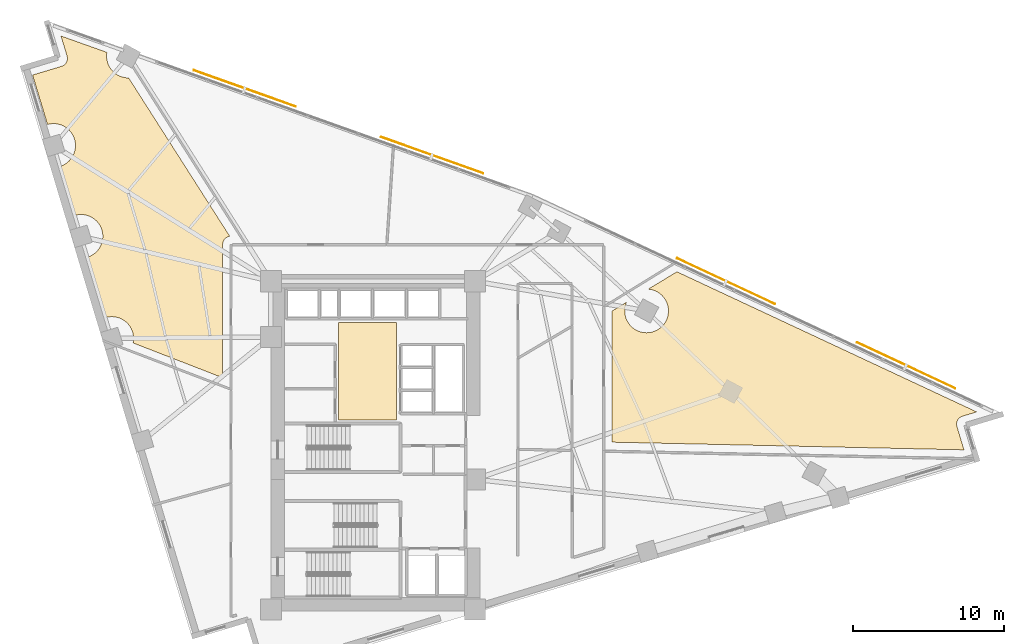
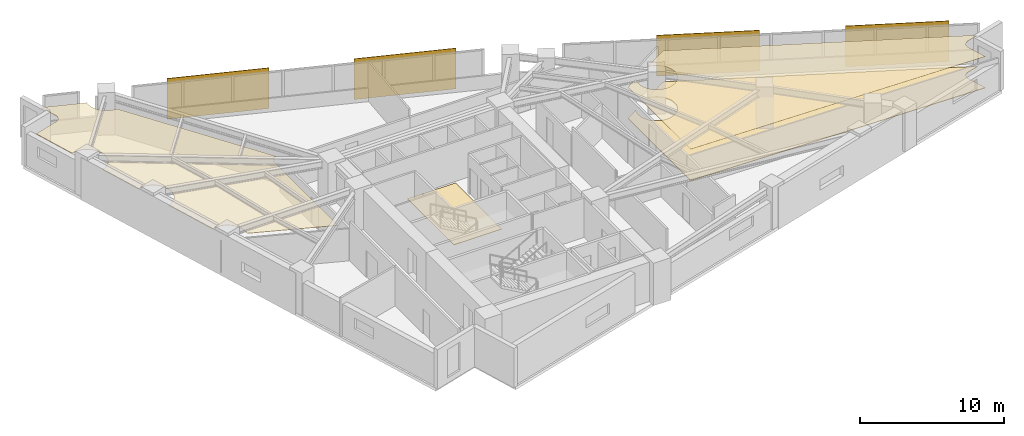
# One storey, part 16 of 16: 4 coverings, 4 shading devices.
"""IFC4 building model written with IfcOpenShell, lengths in metres."""

from ifc_helpers import new_model, si_unit, direction, frame, origin, origin_2d, place, context, subcontext, project, spatial, polyline, rectangle, outline, extrude, material, layer, layer_set, type_object, element, save


model = new_model("IFC4")

# Units and contexts
model_context = context("Model", 3, precision=1e-05, world=origin(), true_north=direction((0.0, 1.0)))
body_context = subcontext(model_context, "Body", "Model", "MODEL_VIEW")
ifc_project = project(units=[si_unit("LENGTHUNIT", "METRE"), si_unit("AREAUNIT", "SQUARE_METRE"), si_unit("VOLUMEUNIT", "CUBIC_METRE"), si_unit("PLANEANGLEUNIT", "RADIAN"), si_unit("MASSUNIT", "GRAM", prefix="KILO")], contexts=[model_context])

# Site, building, storey
site_placement = place(None, origin())
site = spatial("IfcSite", under=ifc_project, at=site_placement, CompositionType="ELEMENT")
building_placement = place(site_placement, origin())
building = spatial("IfcBuilding", under=site, at=building_placement, Name="Narakoshi Arena Tower", CompositionType="ELEMENT")
storey_placement = place(building_placement, frame((0.0, 0.0, 153.89990234375)))
storey = spatial("IfcBuildingStorey", under=building, at=storey_placement, Name="L41", CompositionType="ELEMENT", Elevation=153.89990234375)

# Coverings
ifc_material_1 = material(Name="Acoustic mineral-fibre ceiling tile")
ifc_layer_1 = layer(ifc_material_1, 0.02001953125)
ifc_layer_set_1 = layer_set([ifc_layer_1], Name="Acoustic mineral-fibre ceiling tile")
covering_type_1 = type_object("IfcCoveringType", Name="COV-CLG-AC20", PredefinedType="CEILING", material=ifc_layer_set_1)
covering_1_placement = place(storey_placement, frame((0.0, 0.0, 2.670166015625)))
element("IfcCovering", 1, at=covering_1_placement, inside=storey, type_object=covering_type_1, Name="L41 Suspended Acoustic Ceiling 1", PredefinedType="CEILING", context=body_context, shape_type="SweptSolid", body=[
    extrude(outline(polyline([(117.9150390625, 47.540771484375), (117.8642578125, 47.522705078125), (117.8154296875, 47.499755859375), (117.76904296875, 47.47216796875), (117.7255859375, 47.43994140625), (117.685546875, 47.40380859375), (117.649169921875, 47.364013671875), (117.616943359375, 47.32080078125), (117.589111328125, 47.2744140625), (117.56591796875, 47.2255859375), (117.547607421875, 47.1748046875), (117.534423828125, 47.12255859375), (117.5263671875, 47.069091796875), (117.523681640625, 47.015380859375), (117.526123046875, 46.96142578125), (117.533935546875, 46.907958984375), (117.546875, 46.855712890625), (118.01318359375, 45.306396484375), (94.646240234375, 45.81640625), (94.646240234375, 54.521240234375), (95.616455078125, 55.107666015625), (95.604736328125, 55.0830078125), (95.556884765625, 54.948974609375), (95.522216796875, 54.81103515625), (95.50146484375, 54.670166015625), (95.494384765625, 54.528076171875), (95.50146484375, 54.385986328125), (95.522216796875, 54.2451171875), (95.556884765625, 54.107177734375), (95.604736328125, 53.97314453125), (95.66552734375, 53.844482421875), (95.73876953125, 53.722412109375), (95.823486328125, 53.608154296875), (95.919189453125, 53.502685546875), (96.0244140625, 53.4072265625), (96.138916015625, 53.322509765625), (96.260986328125, 53.249267578125), (96.389404296875, 53.1884765625), (96.5234375, 53.140380859375), (96.66162109375, 53.10595703125), (96.80224609375, 53.085205078125), (96.9443359375, 53.078125), (97.08642578125, 53.085205078125), (97.227294921875, 53.10595703125), (97.365234375, 53.140380859375), (97.499267578125, 53.1884765625), (97.6279296875, 53.249267578125), (97.75, 53.322509765625), (97.8642578125, 53.4072265625), (97.9697265625, 53.502685546875), (98.065185546875, 53.608154296875), (98.14990234375, 53.722412109375), (98.22314453125, 53.844482421875), (98.283935546875, 53.97314453125), (98.33203125, 54.107177734375), (98.366455078125, 54.2451171875), (98.387451171875, 54.385986328125), (98.394287109375, 54.528076171875), (98.387451171875, 54.670166015625), (98.366455078125, 54.81103515625), (98.33203125, 54.948974609375), (98.283935546875, 55.0830078125), (98.22314453125, 55.211669921875), (98.14990234375, 55.333740234375), (98.065185546875, 55.447998046875), (97.9697265625, 55.553466796875), (97.8642578125, 55.64892578125), (97.75, 55.733642578125), (97.6279296875, 55.806884765625), (97.499267578125, 55.86767578125), (97.365234375, 55.915771484375), (97.227294921875, 55.9501953125), (97.08642578125, 55.97119140625), (97.048095703125, 55.972900390625), (98.9580078125, 57.12744140625), (118.8564453125, 47.823974609375), (117.9150390625, 47.540771484375)])), origin(), (0.0, 0.0, 1.0), 0.02001953125),
])
ifc_material_2 = material(Name="Slatted oak acoustic timber baffle", Category="wood")
ifc_layer_2 = layer(ifc_material_2, 0.034912109375)
ifc_layer_set_2 = layer_set([ifc_layer_2], Name="Slatted oak acoustic timber baffle")
covering_type_2 = type_object("IfcCoveringType", Name="COV-CLG-WD35", PredefinedType="CEILING", material=ifc_layer_set_2)
covering_2_placement = place(storey_placement, frame((0.0, 0.0, 2.655029296875)))
element("IfcCovering", 2, at=covering_2_placement, inside=storey, type_object=covering_type_2, Name="L41 Suspended Acoustic Ceiling 2", PredefinedType="CEILING", context=body_context, shape_type="SweptSolid", body=[
    extrude(outline(polyline([(58.1015625, 70.76611328125), (58.15234375, 70.7841796875), (58.201171875, 70.80712890625), (58.24755859375, 70.834716796875), (58.291015625, 70.86669921875), (58.3310546875, 70.903076171875), (58.367431640625, 70.94287109375), (58.399658203125, 70.986083984375), (58.427490234375, 71.032470703125), (58.45068359375, 71.0810546875), (58.468994140625, 71.1318359375), (58.482177734375, 71.18408203125), (58.490234375, 71.237548828125), (58.492919921875, 71.29150390625), (58.490478515625, 71.345458984375), (58.482666015625, 71.398681640625), (58.4697265625, 71.451171875), (58.070068359375, 72.77880859375), (61.1171875, 71.693603515625), (61.102294921875, 71.59228515625), (61.09521484375, 71.4501953125), (61.102294921875, 71.30810546875), (61.123046875, 71.16748046875), (61.15771484375, 71.029296875), (61.20556640625, 70.8955078125), (61.266357421875, 70.766845703125), (61.339599609375, 70.644775390625), (61.42431640625, 70.530517578125), (61.52001953125, 70.425048828125), (61.625244140625, 70.329345703125), (61.739501953125, 70.24462890625), (61.86181640625, 70.17138671875), (61.990234375, 70.110595703125), (62.124267578125, 70.062744140625), (62.26220703125, 70.0283203125), (62.403076171875, 70.00732421875), (62.545166015625, 70.000244140625), (62.55810546875, 70.0009765625), (69.2734375, 59.48046875), (69.24658203125, 59.476318359375), (69.194091796875, 59.46337890625), (69.143310546875, 59.445068359375), (69.094482421875, 59.422119140625), (69.048095703125, 59.394287109375), (69.0048828125, 59.3623046875), (68.96484375, 59.325927734375), (68.9287109375, 59.285888671875), (68.896484375, 59.24267578125), (68.86865234375, 59.1962890625), (68.845703125, 59.1474609375), (68.827392578125, 59.0966796875), (68.814453125, 59.044189453125), (68.806396484375, 58.990966796875), (68.8037109375, 58.93701171875), (68.8037109375, 50.09033203125), (62.857421875, 52.402587890625), (62.860107421875, 52.41357421875), (62.881103515625, 52.55419921875), (62.887939453125, 52.6962890625), (62.881103515625, 52.83837890625), (62.860107421875, 52.979248046875), (62.82568359375, 53.1171875), (62.777587890625, 53.251220703125), (62.716796875, 53.3798828125), (62.6435546875, 53.501953125), (62.558837890625, 53.6162109375), (62.46337890625, 53.7216796875), (62.35791015625, 53.8173828125), (62.24365234375, 53.902099609375), (62.12158203125, 53.97509765625), (61.992919921875, 54.035888671875), (61.85888671875, 54.083984375), (61.720947265625, 54.118408203125), (61.580078125, 54.139404296875), (61.43798828125, 54.146484375), (61.2958984375, 54.139404296875), (61.155029296875, 54.118408203125), (61.02978515625, 54.087158203125), (59.823486328125, 58.095947265625), (59.950927734375, 58.1416015625), (60.07958984375, 58.202392578125), (60.20166015625, 58.275634765625), (60.31591796875, 58.3603515625), (60.42138671875, 58.455810546875), (60.516845703125, 58.561279296875), (60.6015625, 58.675537109375), (60.6748046875, 58.797607421875), (60.735595703125, 58.92626953125), (60.78369140625, 59.060302734375), (60.818115234375, 59.1982421875), (60.839111328125, 59.339111328125), (60.845947265625, 59.481201171875), (60.839111328125, 59.623291015625), (60.818115234375, 59.76416015625), (60.78369140625, 59.902099609375), (60.735595703125, 60.0361328125), (60.6748046875, 60.164794921875), (60.6015625, 60.286865234375), (60.516845703125, 60.401123046875), (60.42138671875, 60.506591796875), (60.31591796875, 60.60205078125), (60.20166015625, 60.686767578125), (60.07958984375, 60.760009765625), (59.950927734375, 60.82080078125), (59.81689453125, 60.868896484375), (59.678955078125, 60.9033203125), (59.5380859375, 60.92431640625), (59.39599609375, 60.93115234375), (59.25390625, 60.92431640625), (59.113037109375, 60.9033203125), (58.98779296875, 60.8720703125), (58.00830078125, 64.126953125), (58.1357421875, 64.172607421875), (58.264404296875, 64.2333984375), (58.386474609375, 64.306396484375), (58.500732421875, 64.39111328125), (58.606201171875, 64.48681640625), (58.701904296875, 64.59228515625), (58.78662109375, 64.70654296875), (58.859619140625, 64.82861328125), (58.92041015625, 64.957275390625), (58.968505859375, 65.09130859375), (59.0029296875, 65.229248046875), (59.02392578125, 65.3701171875), (59.031005859375, 65.51220703125), (59.02392578125, 65.654296875), (59.0029296875, 65.794921875), (58.968505859375, 65.93310546875), (58.92041015625, 66.06689453125), (58.859619140625, 66.195556640625), (58.78662109375, 66.317626953125), (58.701904296875, 66.431884765625), (58.606201171875, 66.537353515625), (58.500732421875, 66.633056640625), (58.386474609375, 66.7177734375), (58.264404296875, 66.791015625), (58.1357421875, 66.851806640625), (58.001708984375, 66.899658203125), (57.86376953125, 66.93408203125), (57.722900390625, 66.955078125), (57.580810546875, 66.962158203125), (57.438720703125, 66.955078125), (57.298095703125, 66.93408203125), (57.1728515625, 66.90283203125), (56.183837890625, 70.18896484375), (58.1015625, 70.76611328125)])), origin(), (0.0, 0.0, 1.0), 0.03515625),
])
ifc_material_3 = material(Name="Raised steel access floor panel", Category="steel")
ifc_layer_3 = layer(ifc_material_3, 0.044921875)
ifc_layer_set_3 = layer_set([ifc_layer_3], Name="Raised steel access floor panel")
covering_type_3 = type_object("IfcCoveringType", Name="COV-FLR-RF45", PredefinedType="FLOORING", material=ifc_layer_set_3)
covering_3_placement = place(storey_placement, origin())
element("IfcCovering", 3, at=covering_3_placement, inside=storey, type_object=covering_type_3, Name="L41 Raised Steel Access Floor", PredefinedType="FLOORING", context=body_context, shape_type="SweptSolid", body=[
    extrude(outline(polyline([(117.9150390625, 47.540771484375), (117.8642578125, 47.522705078125), (117.8154296875, 47.499755859375), (117.76904296875, 47.47216796875), (117.7255859375, 47.43994140625), (117.685546875, 47.40380859375), (117.649169921875, 47.364013671875), (117.616943359375, 47.32080078125), (117.589111328125, 47.2744140625), (117.56591796875, 47.2255859375), (117.547607421875, 47.1748046875), (117.534423828125, 47.12255859375), (117.5263671875, 47.069091796875), (117.523681640625, 47.015380859375), (117.526123046875, 46.96142578125), (117.533935546875, 46.907958984375), (117.546875, 46.855712890625), (118.01318359375, 45.306396484375), (94.646240234375, 45.81640625), (94.646240234375, 54.521240234375), (95.616455078125, 55.107666015625), (95.604736328125, 55.0830078125), (95.556884765625, 54.948974609375), (95.522216796875, 54.81103515625), (95.50146484375, 54.670166015625), (95.494384765625, 54.528076171875), (95.50146484375, 54.385986328125), (95.522216796875, 54.2451171875), (95.556884765625, 54.107177734375), (95.604736328125, 53.97314453125), (95.66552734375, 53.844482421875), (95.73876953125, 53.722412109375), (95.823486328125, 53.608154296875), (95.919189453125, 53.502685546875), (96.0244140625, 53.4072265625), (96.138916015625, 53.322509765625), (96.260986328125, 53.249267578125), (96.389404296875, 53.1884765625), (96.5234375, 53.140380859375), (96.66162109375, 53.10595703125), (96.80224609375, 53.085205078125), (96.9443359375, 53.078125), (97.08642578125, 53.085205078125), (97.227294921875, 53.10595703125), (97.365234375, 53.140380859375), (97.499267578125, 53.1884765625), (97.6279296875, 53.249267578125), (97.75, 53.322509765625), (97.8642578125, 53.4072265625), (97.9697265625, 53.502685546875), (98.065185546875, 53.608154296875), (98.14990234375, 53.722412109375), (98.22314453125, 53.844482421875), (98.283935546875, 53.97314453125), (98.33203125, 54.107177734375), (98.366455078125, 54.2451171875), (98.387451171875, 54.385986328125), (98.394287109375, 54.528076171875), (98.387451171875, 54.670166015625), (98.366455078125, 54.81103515625), (98.33203125, 54.948974609375), (98.283935546875, 55.0830078125), (98.22314453125, 55.211669921875), (98.14990234375, 55.333740234375), (98.065185546875, 55.447998046875), (97.9697265625, 55.553466796875), (97.8642578125, 55.64892578125), (97.75, 55.733642578125), (97.6279296875, 55.806884765625), (97.499267578125, 55.86767578125), (97.365234375, 55.915771484375), (97.227294921875, 55.9501953125), (97.08642578125, 55.97119140625), (97.048095703125, 55.972900390625), (98.9580078125, 57.12744140625), (118.8564453125, 47.823974609375), (117.9150390625, 47.540771484375)])), origin(), (0.0, 0.0, 1.0), 0.045166015625),
])
ifc_material_4 = material(Name="Honed granite stone paving", Category="masonry")
ifc_layer_4 = layer(ifc_material_4, 0.030029296875)
ifc_layer_set_4 = layer_set([ifc_layer_4], Name="Honed granite stone paving")
covering_type_4 = type_object("IfcCoveringType", Name="COV-FLR-ST30", PredefinedType="FLOORING", material=ifc_layer_set_4)
covering_4_placement = place(storey_placement, origin())
element("IfcCovering", 4, at=covering_4_placement, inside=storey, type_object=covering_type_4, Name="L41 Lift Lobby Granite Flooring", PredefinedType="FLOORING", context=body_context, shape_type="SweptSolid", body=[
    extrude(outline(polyline([(76.5, 47.300048828125), (80.35009765625, 47.300048828125), (80.35009765625, 53.75), (76.5, 53.75), (76.5, 47.300048828125)])), origin(), (0.0, 0.0, 1.0), 0.030029296875),
])

# Shading devices
ifc_material_5 = material(Name="Perforated bronze ceramic-metal composite")
ifc_layer_5 = layer(ifc_material_5, 0.044921875)
ifc_layer_set_5 = layer_set([ifc_layer_5], Name="Perforated bronze ceramic-metal composite")
shading_device_type = type_object("IfcShadingDeviceType", Name="SHD-SCR-BRZ1", PredefinedType="USERDEFINED", material=ifc_layer_set_5)
for number, where, z_axis, x_axis, name in (
    (5, (114.172607421875, 50.910888671875, 0.0), (0.0, 0.0, 1.0), (-0.9058795101, 0.423535492234, 0.0), "L41 Perforated Bronze Solar Screen 1-1"),
    (6, (102.21484375, 56.50146484375, 0.0), (0.0, 0.0, 1.0), (-0.9058795101, 0.423535492234, 0.0), "L41 Perforated Bronze Solar Screen 1-2"),
    (7, (82.70068359375, 64.868896484375, 0.0), (0.0, 0.0, 1.0), (-0.942034031554, 0.33551733695, 0.0), "L41 Perforated Bronze Solar Screen 2-1"),
    (8, (70.265869140625, 69.297607421875, 0.0), (0.0, 0.0, 1.0), (-0.942034031554, 0.33551733695, 0.0), "L41 Perforated Bronze Solar Screen 2-2"),
):
    element("IfcShadingDevice", number, at=place(storey_placement, frame(where, z_axis=z_axis, x_axis=x_axis)), inside=storey, type_object=shading_device_type, Name=name, ObjectType="SOLAR SCREEN", PredefinedType="USERDEFINED", context=body_context, shape_type="SweptSolid", body=[
        extrude(rectangle(XDim=7.199951171875, YDim=0.044921875, at=origin_2d()), origin(), (0.0, 0.0, 1.0), 3.449951171875),
    ])

save(model, "model.ifc")
